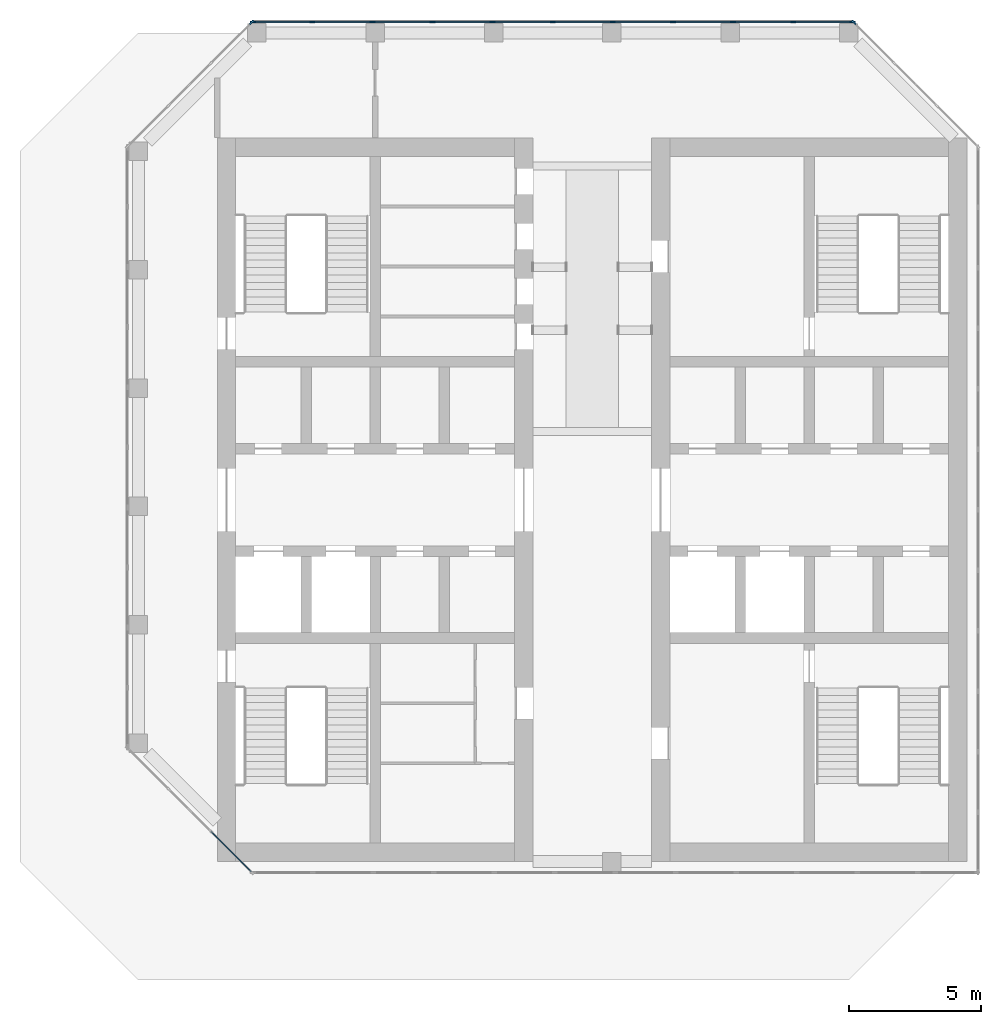
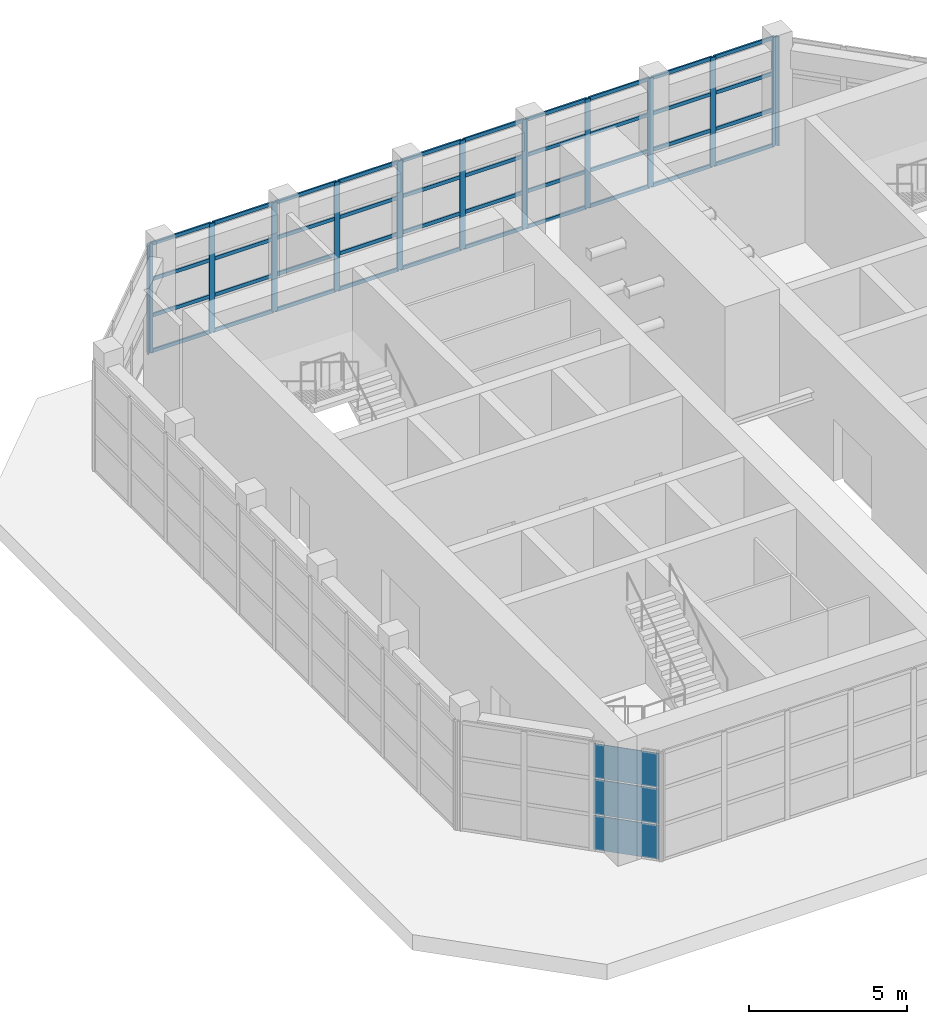
# One storey, part 6 of 13: 53 members, 3 plates, 4 elements without a shape of their own.
"""IFC4 building model written with IfcOpenShell, lengths in metres."""

from ifc_helpers import new_model, si_unit, direction, frame, origin, origin_2d, place, context, subcontext, project, spatial, rectangle, extrude, material, layer, layer_set, material_profile, profile_set, type_object, element, aggregate, save


model = new_model("IFC4")

# Units and contexts
model_context = context("Model", 3, precision=1e-05, world=origin(), true_north=direction((0.0, 1.0)))
body_context = subcontext(model_context, "Body", "Model", "MODEL_VIEW")
ifc_project = project(units=[si_unit("LENGTHUNIT", "METRE"), si_unit("AREAUNIT", "SQUARE_METRE"), si_unit("VOLUMEUNIT", "CUBIC_METRE"), si_unit("PLANEANGLEUNIT", "RADIAN"), si_unit("MASSUNIT", "GRAM", prefix="KILO")], contexts=[model_context])

# Site, building, storey
site_placement = place(None, origin())
site = spatial("IfcSite", under=ifc_project, at=site_placement, CompositionType="ELEMENT")
building_placement = place(site_placement, origin())
building = spatial("IfcBuilding", under=site, at=building_placement, Name="Corbel Stack Research Tower", CompositionType="ELEMENT")
storey_placement = place(building_placement, frame((0.0, 0.0, 311.800048828125)))
storey = spatial("IfcBuildingStorey", under=building, at=storey_placement, Name="L70", CompositionType="ELEMENT", Elevation=311.800048828125)

# Curtain wall, member
ifc_material_1 = material(Name="Aluminium and glass", Category="aluminium")
curtain_wall_type = type_object("IfcCurtainWallType", Name="CW4C damper hall glazing wall, corner", PredefinedType="NOTDEFINED", material=ifc_material_1)
curtain_wall_1_placement = place(storey_placement, origin())
curtain_wall_1 = element("IfcCurtainWall", 1, at=curtain_wall_1_placement, inside=storey, type_object=curtain_wall_type, Name="Damper hall curtain wall L70 3", PredefinedType="NOTDEFINED")
ifc_material_2 = material(Name="Aluminium, anodised", Category="aluminium")
ifc_material_profile_1 = material_profile(ifc_material_2, rectangle(XDim=0.06005859375, YDim=0.199951171875, at=origin_2d()), Name="CW4 mullion 60 x 200")
ifc_profile_set_1 = profile_set([ifc_material_profile_1], Name="Aluminium, anodised")
member_type_1 = type_object("IfcMemberType", Name="CW4 mullion 60 x 200", PredefinedType="MULLION", material=ifc_profile_set_1)
member_1_placement = place(storey_placement, frame((-9.1953125, 22.898681640625, 0.0), z_axis=(0.0, 0.0, 1.0), x_axis=(-0.707106781187, 0.707106781187, 0.0)))
member_1 = element("IfcMember", 2, at=member_1_placement, type_object=member_type_1, Name="CW4C mullion 4", PredefinedType="MULLION", context=body_context, shape_type="SweptSolid", body=[
    extrude(rectangle(XDim=0.06005859375, YDim=0.199951171875, at=origin_2d()), origin(), (0.0, 0.0, 1.0), 4.199951171875),
])
aggregate(curtain_wall_1, [member_1])

# Curtain wall, members
curtain_wall_2_placement = place(storey_placement, origin())
curtain_wall_2 = element("IfcCurtainWall", 3, at=curtain_wall_2_placement, inside=storey, type_object=curtain_wall_type, Name="Damper hall curtain wall L70 4", PredefinedType="NOTDEFINED")
member_2_placement = place(storey_placement, frame((-9.14404296875, 22.919921875, 0.0), z_axis=(0.0, 0.0, 1.0), x_axis=(0.0, 1.0, 0.0)))
member_2 = element("IfcMember", 4, at=member_2_placement, type_object=member_type_1, Name="CW4C mullion 1", PredefinedType="MULLION", context=body_context, shape_type="SweptSolid", body=[
    extrude(rectangle(XDim=0.06005859375, YDim=0.199951171875, at=origin_2d()), origin(), (0.0, 0.0, 1.0), 4.199951171875),
])
member_3_placement = place(storey_placement, frame((-6.88916015625, 22.919921875, 0.0), z_axis=(0.0, 0.0, 1.0), x_axis=(0.0, 1.0, 0.0)))
member_3 = element("IfcMember", 5, at=member_3_placement, type_object=member_type_1, Name="CW4C mullion 2", PredefinedType="MULLION", context=body_context, shape_type="SweptSolid", body=[
    extrude(rectangle(XDim=0.06005859375, YDim=0.199951171875, at=origin_2d()), origin(), (0.0, 0.0, 1.0), 4.199951171875),
])
member_4_placement = place(storey_placement, frame((-4.6044921875, 22.919921875, 0.0), z_axis=(0.0, 0.0, 1.0), x_axis=(0.0, 1.0, 0.0)))
member_4 = element("IfcMember", 6, at=member_4_placement, type_object=member_type_1, Name="CW4C mullion 3", PredefinedType="MULLION", context=body_context, shape_type="SweptSolid", body=[
    extrude(rectangle(XDim=0.06005859375, YDim=0.199951171875, at=origin_2d()), origin(), (0.0, 0.0, 1.0), 4.199951171875),
])
member_5_placement = place(storey_placement, frame((-2.319580078125, 22.919921875, 0.0), z_axis=(0.0, 0.0, 1.0), x_axis=(0.0, 1.0, 0.0)))
member_5 = element("IfcMember", 7, at=member_5_placement, type_object=member_type_1, Name="CW4C mullion 4", PredefinedType="MULLION", context=body_context, shape_type="SweptSolid", body=[
    extrude(rectangle(XDim=0.06005859375, YDim=0.199951171875, at=origin_2d()), origin(), (0.0, 0.0, 1.0), 4.199951171875),
])
member_6_placement = place(storey_placement, frame((-0.034912109375, 22.919921875, 0.0), z_axis=(0.0, 0.0, 1.0), x_axis=(0.0, 1.0, 0.0)))
member_6 = element("IfcMember", 8, at=member_6_placement, type_object=member_type_1, Name="CW4C mullion 5", PredefinedType="MULLION", context=body_context, shape_type="SweptSolid", body=[
    extrude(rectangle(XDim=0.06005859375, YDim=0.199951171875, at=origin_2d()), origin(), (0.0, 0.0, 1.0), 4.199951171875),
])
member_7_placement = place(storey_placement, frame((2.25, 22.919921875, 0.0), z_axis=(0.0, 0.0, 1.0), x_axis=(0.0, 1.0, 0.0)))
member_7 = element("IfcMember", 9, at=member_7_placement, type_object=member_type_1, Name="CW4C mullion 6", PredefinedType="MULLION", context=body_context, shape_type="SweptSolid", body=[
    extrude(rectangle(XDim=0.06005859375, YDim=0.199951171875, at=origin_2d()), origin(), (0.0, 0.0, 1.0), 4.199951171875),
])
member_8_placement = place(storey_placement, frame((4.534912109375, 22.919921875, 0.0), z_axis=(0.0, 0.0, 1.0), x_axis=(0.0, 1.0, 0.0)))
member_8 = element("IfcMember", 10, at=member_8_placement, type_object=member_type_1, Name="CW4C mullion 7", PredefinedType="MULLION", context=body_context, shape_type="SweptSolid", body=[
    extrude(rectangle(XDim=0.06005859375, YDim=0.199951171875, at=origin_2d()), origin(), (0.0, 0.0, 1.0), 4.199951171875),
])
member_9_placement = place(storey_placement, frame((6.819580078125, 22.919921875, 0.0), z_axis=(0.0, 0.0, 1.0), x_axis=(0.0, 1.0, 0.0)))
member_9 = element("IfcMember", 11, at=member_9_placement, type_object=member_type_1, Name="CW4C mullion 8", PredefinedType="MULLION", context=body_context, shape_type="SweptSolid", body=[
    extrude(rectangle(XDim=0.06005859375, YDim=0.199951171875, at=origin_2d()), origin(), (0.0, 0.0, 1.0), 4.199951171875),
])
member_10_placement = place(storey_placement, frame((9.1044921875, 22.919921875, 0.0), z_axis=(0.0, 0.0, 1.0), x_axis=(0.0, 1.0, 0.0)))
member_10 = element("IfcMember", 12, at=member_10_placement, type_object=member_type_1, Name="CW4C mullion 9", PredefinedType="MULLION", context=body_context, shape_type="SweptSolid", body=[
    extrude(rectangle(XDim=0.06005859375, YDim=0.199951171875, at=origin_2d()), origin(), (0.0, 0.0, 1.0), 4.199951171875),
])
member_11_placement = place(storey_placement, frame((11.38916015625, 22.919921875, 0.0), z_axis=(0.0, 0.0, 1.0), x_axis=(0.0, 1.0, 0.0)))
member_11 = element("IfcMember", 13, at=member_11_placement, type_object=member_type_1, Name="CW4C mullion 10", PredefinedType="MULLION", context=body_context, shape_type="SweptSolid", body=[
    extrude(rectangle(XDim=0.06005859375, YDim=0.199951171875, at=origin_2d()), origin(), (0.0, 0.0, 1.0), 4.199951171875),
])
member_12_placement = place(storey_placement, frame((13.64404296875, 22.919921875, 0.0), z_axis=(0.0, 0.0, 1.0), x_axis=(0.0, 1.0, 0.0)))
member_12 = element("IfcMember", 14, at=member_12_placement, type_object=member_type_1, Name="CW4C mullion 11", PredefinedType="MULLION", context=body_context, shape_type="SweptSolid", body=[
    extrude(rectangle(XDim=0.06005859375, YDim=0.199951171875, at=origin_2d()), origin(), (0.0, 0.0, 1.0), 4.199951171875),
])

# Curtain wall, member
curtain_wall_3_placement = place(storey_placement, origin())
curtain_wall_3 = element("IfcCurtainWall", 15, at=curtain_wall_3_placement, inside=storey, type_object=curtain_wall_type, Name="Damper hall curtain wall L70 5", PredefinedType="NOTDEFINED")
member_13_placement = place(storey_placement, frame((13.6953125, 22.898681640625, 0.0), z_axis=(0.0, 0.0, 1.0), x_axis=(0.707106781187, 0.707106781187, 0.0)))
member_13 = element("IfcMember", 16, at=member_13_placement, type_object=member_type_1, Name="CW4C mullion 1", PredefinedType="MULLION", context=body_context, shape_type="SweptSolid", body=[
    extrude(rectangle(XDim=0.06005859375, YDim=0.199951171875, at=origin_2d()), origin(), (0.0, 0.0, 1.0), 4.199951171875),
])
aggregate(curtain_wall_3, [member_13])

# Member
ifc_material_3 = material(Name="Aluminium, anodised", Category="aluminium")
ifc_material_profile_2 = material_profile(ifc_material_3, rectangle(XDim=0.06005859375, YDim=0.139892578125, at=origin_2d()), Name="CW4 transom 60 x 140")
ifc_profile_set_2 = profile_set([ifc_material_profile_2], Name="Aluminium, anodised")
member_type_2 = type_object("IfcMemberType", Name="CW4 transom 60 x 140", PredefinedType="USERDEFINED", material=ifc_profile_set_2)
member_14_placement = place(storey_placement, frame((-9.114013671875, 22.919921875, 0.030029296875), z_axis=(1.0, 0.0, 0.0), x_axis=(0.0, 1.0, 0.0)))
member_14 = element("IfcMember", 17, at=member_14_placement, type_object=member_type_2, Name="CW4C transom 1.1", ObjectType="TRANSOM", PredefinedType="USERDEFINED", context=body_context, shape_type="SweptSolid", body=[
    extrude(rectangle(XDim=0.06005859375, YDim=0.139892578125, at=origin_2d()), origin(), (0.0, 0.0, 1.0), 2.19482421875),
])

member_15_placement = place(storey_placement, frame((-9.114013671875, 22.919921875, 1.39990234375), z_axis=(1.0, 0.0, 0.0), x_axis=(0.0, 1.0, 0.0)))
member_15 = element("IfcMember", 18, at=member_15_placement, type_object=member_type_2, Name="CW4C transom 1.2", ObjectType="TRANSOM", PredefinedType="USERDEFINED", context=body_context, shape_type="SweptSolid", body=[
    extrude(rectangle(XDim=0.06005859375, YDim=0.139892578125, at=origin_2d()), origin(), (0.0, 0.0, 1.0), 2.19482421875),
])

member_16_placement = place(storey_placement, frame((-9.114013671875, 22.919921875, 2.800048828125), z_axis=(1.0, 0.0, 0.0), x_axis=(0.0, 1.0, 0.0)))
member_16 = element("IfcMember", 19, at=member_16_placement, type_object=member_type_2, Name="CW4C transom 1.3", ObjectType="TRANSOM", PredefinedType="USERDEFINED", context=body_context, shape_type="SweptSolid", body=[
    extrude(rectangle(XDim=0.06005859375, YDim=0.139892578125, at=origin_2d()), origin(), (0.0, 0.0, 1.0), 2.19482421875),
])

member_17_placement = place(storey_placement, frame((-9.114013671875, 22.919921875, 4.169921875), z_axis=(1.0, 0.0, 0.0), x_axis=(0.0, 1.0, 0.0)))
member_17 = element("IfcMember", 20, at=member_17_placement, type_object=member_type_2, Name="CW4C transom 1.4", ObjectType="TRANSOM", PredefinedType="USERDEFINED", context=body_context, shape_type="SweptSolid", body=[
    extrude(rectangle(XDim=0.06005859375, YDim=0.139892578125, at=origin_2d()), origin(), (0.0, 0.0, 1.0), 2.19482421875),
])

member_18_placement = place(storey_placement, frame((-6.859130859375, 22.919921875, 0.030029296875), z_axis=(1.0, 0.0, 0.0), x_axis=(0.0, 1.0, 0.0)))
member_18 = element("IfcMember", 21, at=member_18_placement, type_object=member_type_2, Name="CW4C transom 2.1", ObjectType="TRANSOM", PredefinedType="USERDEFINED", context=body_context, shape_type="SweptSolid", body=[
    extrude(rectangle(XDim=0.06005859375, YDim=0.139892578125, at=origin_2d()), origin(), (0.0, 0.0, 1.0), 2.224609375),
])

member_19_placement = place(storey_placement, frame((-6.859130859375, 22.919921875, 1.39990234375), z_axis=(1.0, 0.0, 0.0), x_axis=(0.0, 1.0, 0.0)))
member_19 = element("IfcMember", 22, at=member_19_placement, type_object=member_type_2, Name="CW4C transom 2.2", ObjectType="TRANSOM", PredefinedType="USERDEFINED", context=body_context, shape_type="SweptSolid", body=[
    extrude(rectangle(XDim=0.06005859375, YDim=0.139892578125, at=origin_2d()), origin(), (0.0, 0.0, 1.0), 2.224609375),
])

member_20_placement = place(storey_placement, frame((-6.859130859375, 22.919921875, 2.800048828125), z_axis=(1.0, 0.0, 0.0), x_axis=(0.0, 1.0, 0.0)))
member_20 = element("IfcMember", 23, at=member_20_placement, type_object=member_type_2, Name="CW4C transom 2.3", ObjectType="TRANSOM", PredefinedType="USERDEFINED", context=body_context, shape_type="SweptSolid", body=[
    extrude(rectangle(XDim=0.06005859375, YDim=0.139892578125, at=origin_2d()), origin(), (0.0, 0.0, 1.0), 2.224609375),
])

member_21_placement = place(storey_placement, frame((-6.859130859375, 22.919921875, 4.169921875), z_axis=(1.0, 0.0, 0.0), x_axis=(0.0, 1.0, 0.0)))
member_21 = element("IfcMember", 24, at=member_21_placement, type_object=member_type_2, Name="CW4C transom 2.4", ObjectType="TRANSOM", PredefinedType="USERDEFINED", context=body_context, shape_type="SweptSolid", body=[
    extrude(rectangle(XDim=0.06005859375, YDim=0.139892578125, at=origin_2d()), origin(), (0.0, 0.0, 1.0), 2.224609375),
])

member_22_placement = place(storey_placement, frame((-4.574462890625, 22.919921875, 0.030029296875), z_axis=(1.0, 0.0, 0.0), x_axis=(0.0, 1.0, 0.0)))
member_22 = element("IfcMember", 25, at=member_22_placement, type_object=member_type_2, Name="CW4C transom 3.1", ObjectType="TRANSOM", PredefinedType="USERDEFINED", context=body_context, shape_type="SweptSolid", body=[
    extrude(rectangle(XDim=0.06005859375, YDim=0.139892578125, at=origin_2d()), origin(), (0.0, 0.0, 1.0), 2.224853515625),
])

member_23_placement = place(storey_placement, frame((-4.574462890625, 22.919921875, 1.39990234375), z_axis=(1.0, 0.0, 0.0), x_axis=(0.0, 1.0, 0.0)))
member_23 = element("IfcMember", 26, at=member_23_placement, type_object=member_type_2, Name="CW4C transom 3.2", ObjectType="TRANSOM", PredefinedType="USERDEFINED", context=body_context, shape_type="SweptSolid", body=[
    extrude(rectangle(XDim=0.06005859375, YDim=0.139892578125, at=origin_2d()), origin(), (0.0, 0.0, 1.0), 2.224853515625),
])

member_24_placement = place(storey_placement, frame((-4.574462890625, 22.919921875, 2.800048828125), z_axis=(1.0, 0.0, 0.0), x_axis=(0.0, 1.0, 0.0)))
member_24 = element("IfcMember", 27, at=member_24_placement, type_object=member_type_2, Name="CW4C transom 3.3", ObjectType="TRANSOM", PredefinedType="USERDEFINED", context=body_context, shape_type="SweptSolid", body=[
    extrude(rectangle(XDim=0.06005859375, YDim=0.139892578125, at=origin_2d()), origin(), (0.0, 0.0, 1.0), 2.224853515625),
])

member_25_placement = place(storey_placement, frame((-4.574462890625, 22.919921875, 4.169921875), z_axis=(1.0, 0.0, 0.0), x_axis=(0.0, 1.0, 0.0)))
member_25 = element("IfcMember", 28, at=member_25_placement, type_object=member_type_2, Name="CW4C transom 3.4", ObjectType="TRANSOM", PredefinedType="USERDEFINED", context=body_context, shape_type="SweptSolid", body=[
    extrude(rectangle(XDim=0.06005859375, YDim=0.139892578125, at=origin_2d()), origin(), (0.0, 0.0, 1.0), 2.224853515625),
])

member_26_placement = place(storey_placement, frame((-2.28955078125, 22.919921875, 0.030029296875), z_axis=(1.0, 0.0, 0.0), x_axis=(0.0, 1.0, 0.0)))
member_26 = element("IfcMember", 29, at=member_26_placement, type_object=member_type_2, Name="CW4C transom 4.1", ObjectType="TRANSOM", PredefinedType="USERDEFINED", context=body_context, shape_type="SweptSolid", body=[
    extrude(rectangle(XDim=0.06005859375, YDim=0.139892578125, at=origin_2d()), origin(), (0.0, 0.0, 1.0), 2.224853515625),
])

member_27_placement = place(storey_placement, frame((-2.28955078125, 22.919921875, 1.39990234375), z_axis=(1.0, 0.0, 0.0), x_axis=(0.0, 1.0, 0.0)))
member_27 = element("IfcMember", 30, at=member_27_placement, type_object=member_type_2, Name="CW4C transom 4.2", ObjectType="TRANSOM", PredefinedType="USERDEFINED", context=body_context, shape_type="SweptSolid", body=[
    extrude(rectangle(XDim=0.06005859375, YDim=0.139892578125, at=origin_2d()), origin(), (0.0, 0.0, 1.0), 2.224853515625),
])

member_28_placement = place(storey_placement, frame((-2.28955078125, 22.919921875, 2.800048828125), z_axis=(1.0, 0.0, 0.0), x_axis=(0.0, 1.0, 0.0)))
member_28 = element("IfcMember", 31, at=member_28_placement, type_object=member_type_2, Name="CW4C transom 4.3", ObjectType="TRANSOM", PredefinedType="USERDEFINED", context=body_context, shape_type="SweptSolid", body=[
    extrude(rectangle(XDim=0.06005859375, YDim=0.139892578125, at=origin_2d()), origin(), (0.0, 0.0, 1.0), 2.224853515625),
])

member_29_placement = place(storey_placement, frame((-2.28955078125, 22.919921875, 4.169921875), z_axis=(1.0, 0.0, 0.0), x_axis=(0.0, 1.0, 0.0)))
member_29 = element("IfcMember", 32, at=member_29_placement, type_object=member_type_2, Name="CW4C transom 4.4", ObjectType="TRANSOM", PredefinedType="USERDEFINED", context=body_context, shape_type="SweptSolid", body=[
    extrude(rectangle(XDim=0.06005859375, YDim=0.139892578125, at=origin_2d()), origin(), (0.0, 0.0, 1.0), 2.224853515625),
])

member_30_placement = place(storey_placement, frame((-0.0048828125, 22.919921875, 0.030029296875), z_axis=(1.0, 0.0, 0.0), x_axis=(0.0, 1.0, 0.0)))
member_30 = element("IfcMember", 33, at=member_30_placement, type_object=member_type_2, Name="CW4C transom 5.1", ObjectType="TRANSOM", PredefinedType="USERDEFINED", context=body_context, shape_type="SweptSolid", body=[
    extrude(rectangle(XDim=0.06005859375, YDim=0.139892578125, at=origin_2d()), origin(), (0.0, 0.0, 1.0), 2.224853515625),
])

member_31_placement = place(storey_placement, frame((-0.0048828125, 22.919921875, 1.39990234375), z_axis=(1.0, 0.0, 0.0), x_axis=(0.0, 1.0, 0.0)))
member_31 = element("IfcMember", 34, at=member_31_placement, type_object=member_type_2, Name="CW4C transom 5.2", ObjectType="TRANSOM", PredefinedType="USERDEFINED", context=body_context, shape_type="SweptSolid", body=[
    extrude(rectangle(XDim=0.06005859375, YDim=0.139892578125, at=origin_2d()), origin(), (0.0, 0.0, 1.0), 2.224853515625),
])

member_32_placement = place(storey_placement, frame((-0.0048828125, 22.919921875, 2.800048828125), z_axis=(1.0, 0.0, 0.0), x_axis=(0.0, 1.0, 0.0)))
member_32 = element("IfcMember", 35, at=member_32_placement, type_object=member_type_2, Name="CW4C transom 5.3", ObjectType="TRANSOM", PredefinedType="USERDEFINED", context=body_context, shape_type="SweptSolid", body=[
    extrude(rectangle(XDim=0.06005859375, YDim=0.139892578125, at=origin_2d()), origin(), (0.0, 0.0, 1.0), 2.224853515625),
])

member_33_placement = place(storey_placement, frame((-0.0048828125, 22.919921875, 4.169921875), z_axis=(1.0, 0.0, 0.0), x_axis=(0.0, 1.0, 0.0)))
member_33 = element("IfcMember", 36, at=member_33_placement, type_object=member_type_2, Name="CW4C transom 5.4", ObjectType="TRANSOM", PredefinedType="USERDEFINED", context=body_context, shape_type="SweptSolid", body=[
    extrude(rectangle(XDim=0.06005859375, YDim=0.139892578125, at=origin_2d()), origin(), (0.0, 0.0, 1.0), 2.224853515625),
])

member_34_placement = place(storey_placement, frame((2.280029296875, 22.919921875, 0.030029296875), z_axis=(1.0, 0.0, 0.0), x_axis=(0.0, 1.0, 0.0)))
member_34 = element("IfcMember", 37, at=member_34_placement, type_object=member_type_2, Name="CW4C transom 6.1", ObjectType="TRANSOM", PredefinedType="USERDEFINED", context=body_context, shape_type="SweptSolid", body=[
    extrude(rectangle(XDim=0.06005859375, YDim=0.139892578125, at=origin_2d()), origin(), (0.0, 0.0, 1.0), 2.224853515625),
])

member_35_placement = place(storey_placement, frame((2.280029296875, 22.919921875, 1.39990234375), z_axis=(1.0, 0.0, 0.0), x_axis=(0.0, 1.0, 0.0)))
member_35 = element("IfcMember", 38, at=member_35_placement, type_object=member_type_2, Name="CW4C transom 6.2", ObjectType="TRANSOM", PredefinedType="USERDEFINED", context=body_context, shape_type="SweptSolid", body=[
    extrude(rectangle(XDim=0.06005859375, YDim=0.139892578125, at=origin_2d()), origin(), (0.0, 0.0, 1.0), 2.224853515625),
])

member_36_placement = place(storey_placement, frame((2.280029296875, 22.919921875, 2.800048828125), z_axis=(1.0, 0.0, 0.0), x_axis=(0.0, 1.0, 0.0)))
member_36 = element("IfcMember", 39, at=member_36_placement, type_object=member_type_2, Name="CW4C transom 6.3", ObjectType="TRANSOM", PredefinedType="USERDEFINED", context=body_context, shape_type="SweptSolid", body=[
    extrude(rectangle(XDim=0.06005859375, YDim=0.139892578125, at=origin_2d()), origin(), (0.0, 0.0, 1.0), 2.224853515625),
])

member_37_placement = place(storey_placement, frame((2.280029296875, 22.919921875, 4.169921875), z_axis=(1.0, 0.0, 0.0), x_axis=(0.0, 1.0, 0.0)))
member_37 = element("IfcMember", 40, at=member_37_placement, type_object=member_type_2, Name="CW4C transom 6.4", ObjectType="TRANSOM", PredefinedType="USERDEFINED", context=body_context, shape_type="SweptSolid", body=[
    extrude(rectangle(XDim=0.06005859375, YDim=0.139892578125, at=origin_2d()), origin(), (0.0, 0.0, 1.0), 2.224853515625),
])

member_38_placement = place(storey_placement, frame((4.564697265625, 22.919921875, 0.030029296875), z_axis=(1.0, 0.0, 0.0), x_axis=(0.0, 1.0, 0.0)))
member_38 = element("IfcMember", 41, at=member_38_placement, type_object=member_type_2, Name="CW4C transom 7.1", ObjectType="TRANSOM", PredefinedType="USERDEFINED", context=body_context, shape_type="SweptSolid", body=[
    extrude(rectangle(XDim=0.06005859375, YDim=0.139892578125, at=origin_2d()), origin(), (0.0, 0.0, 1.0), 2.224853515625),
])

member_39_placement = place(storey_placement, frame((4.564697265625, 22.919921875, 1.39990234375), z_axis=(1.0, 0.0, 0.0), x_axis=(0.0, 1.0, 0.0)))
member_39 = element("IfcMember", 42, at=member_39_placement, type_object=member_type_2, Name="CW4C transom 7.2", ObjectType="TRANSOM", PredefinedType="USERDEFINED", context=body_context, shape_type="SweptSolid", body=[
    extrude(rectangle(XDim=0.06005859375, YDim=0.139892578125, at=origin_2d()), origin(), (0.0, 0.0, 1.0), 2.224853515625),
])

member_40_placement = place(storey_placement, frame((4.564697265625, 22.919921875, 2.800048828125), z_axis=(1.0, 0.0, 0.0), x_axis=(0.0, 1.0, 0.0)))
member_40 = element("IfcMember", 43, at=member_40_placement, type_object=member_type_2, Name="CW4C transom 7.3", ObjectType="TRANSOM", PredefinedType="USERDEFINED", context=body_context, shape_type="SweptSolid", body=[
    extrude(rectangle(XDim=0.06005859375, YDim=0.139892578125, at=origin_2d()), origin(), (0.0, 0.0, 1.0), 2.224853515625),
])

member_41_placement = place(storey_placement, frame((4.564697265625, 22.919921875, 4.169921875), z_axis=(1.0, 0.0, 0.0), x_axis=(0.0, 1.0, 0.0)))
member_41 = element("IfcMember", 44, at=member_41_placement, type_object=member_type_2, Name="CW4C transom 7.4", ObjectType="TRANSOM", PredefinedType="USERDEFINED", context=body_context, shape_type="SweptSolid", body=[
    extrude(rectangle(XDim=0.06005859375, YDim=0.139892578125, at=origin_2d()), origin(), (0.0, 0.0, 1.0), 2.224853515625),
])

member_42_placement = place(storey_placement, frame((6.849609375, 22.919921875, 0.030029296875), z_axis=(1.0, 0.0, 0.0), x_axis=(0.0, 1.0, 0.0)))
member_42 = element("IfcMember", 45, at=member_42_placement, type_object=member_type_2, Name="CW4C transom 8.1", ObjectType="TRANSOM", PredefinedType="USERDEFINED", context=body_context, shape_type="SweptSolid", body=[
    extrude(rectangle(XDim=0.06005859375, YDim=0.139892578125, at=origin_2d()), origin(), (0.0, 0.0, 1.0), 2.224853515625),
])

member_43_placement = place(storey_placement, frame((6.849609375, 22.919921875, 1.39990234375), z_axis=(1.0, 0.0, 0.0), x_axis=(0.0, 1.0, 0.0)))
member_43 = element("IfcMember", 46, at=member_43_placement, type_object=member_type_2, Name="CW4C transom 8.2", ObjectType="TRANSOM", PredefinedType="USERDEFINED", context=body_context, shape_type="SweptSolid", body=[
    extrude(rectangle(XDim=0.06005859375, YDim=0.139892578125, at=origin_2d()), origin(), (0.0, 0.0, 1.0), 2.224853515625),
])

member_44_placement = place(storey_placement, frame((6.849609375, 22.919921875, 2.800048828125), z_axis=(1.0, 0.0, 0.0), x_axis=(0.0, 1.0, 0.0)))
member_44 = element("IfcMember", 47, at=member_44_placement, type_object=member_type_2, Name="CW4C transom 8.3", ObjectType="TRANSOM", PredefinedType="USERDEFINED", context=body_context, shape_type="SweptSolid", body=[
    extrude(rectangle(XDim=0.06005859375, YDim=0.139892578125, at=origin_2d()), origin(), (0.0, 0.0, 1.0), 2.224853515625),
])

member_45_placement = place(storey_placement, frame((6.849609375, 22.919921875, 4.169921875), z_axis=(1.0, 0.0, 0.0), x_axis=(0.0, 1.0, 0.0)))
member_45 = element("IfcMember", 48, at=member_45_placement, type_object=member_type_2, Name="CW4C transom 8.4", ObjectType="TRANSOM", PredefinedType="USERDEFINED", context=body_context, shape_type="SweptSolid", body=[
    extrude(rectangle(XDim=0.06005859375, YDim=0.139892578125, at=origin_2d()), origin(), (0.0, 0.0, 1.0), 2.224853515625),
])

member_46_placement = place(storey_placement, frame((9.134521484375, 22.919921875, 0.030029296875), z_axis=(1.0, 0.0, 0.0), x_axis=(0.0, 1.0, 0.0)))
member_46 = element("IfcMember", 49, at=member_46_placement, type_object=member_type_2, Name="CW4C transom 9.1", ObjectType="TRANSOM", PredefinedType="USERDEFINED", context=body_context, shape_type="SweptSolid", body=[
    extrude(rectangle(XDim=0.06005859375, YDim=0.139892578125, at=origin_2d()), origin(), (0.0, 0.0, 1.0), 2.224609375),
])

member_47_placement = place(storey_placement, frame((9.134521484375, 22.919921875, 1.39990234375), z_axis=(1.0, 0.0, 0.0), x_axis=(0.0, 1.0, 0.0)))
member_47 = element("IfcMember", 50, at=member_47_placement, type_object=member_type_2, Name="CW4C transom 9.2", ObjectType="TRANSOM", PredefinedType="USERDEFINED", context=body_context, shape_type="SweptSolid", body=[
    extrude(rectangle(XDim=0.06005859375, YDim=0.139892578125, at=origin_2d()), origin(), (0.0, 0.0, 1.0), 2.224609375),
])

member_48_placement = place(storey_placement, frame((9.134521484375, 22.919921875, 2.800048828125), z_axis=(1.0, 0.0, 0.0), x_axis=(0.0, 1.0, 0.0)))
member_48 = element("IfcMember", 51, at=member_48_placement, type_object=member_type_2, Name="CW4C transom 9.3", ObjectType="TRANSOM", PredefinedType="USERDEFINED", context=body_context, shape_type="SweptSolid", body=[
    extrude(rectangle(XDim=0.06005859375, YDim=0.139892578125, at=origin_2d()), origin(), (0.0, 0.0, 1.0), 2.224609375),
])

member_49_placement = place(storey_placement, frame((9.134521484375, 22.919921875, 4.169921875), z_axis=(1.0, 0.0, 0.0), x_axis=(0.0, 1.0, 0.0)))
member_49 = element("IfcMember", 52, at=member_49_placement, type_object=member_type_2, Name="CW4C transom 9.4", ObjectType="TRANSOM", PredefinedType="USERDEFINED", context=body_context, shape_type="SweptSolid", body=[
    extrude(rectangle(XDim=0.06005859375, YDim=0.139892578125, at=origin_2d()), origin(), (0.0, 0.0, 1.0), 2.224609375),
])

member_50_placement = place(storey_placement, frame((11.419189453125, 22.919921875, 0.030029296875), z_axis=(1.0, 0.0, 0.0), x_axis=(0.0, 1.0, 0.0)))
member_50 = element("IfcMember", 53, at=member_50_placement, type_object=member_type_2, Name="CW4C transom 10.1", ObjectType="TRANSOM", PredefinedType="USERDEFINED", context=body_context, shape_type="SweptSolid", body=[
    extrude(rectangle(XDim=0.06005859375, YDim=0.139892578125, at=origin_2d()), origin(), (0.0, 0.0, 1.0), 2.19482421875),
])

member_51_placement = place(storey_placement, frame((11.419189453125, 22.919921875, 1.39990234375), z_axis=(1.0, 0.0, 0.0), x_axis=(0.0, 1.0, 0.0)))
member_51 = element("IfcMember", 54, at=member_51_placement, type_object=member_type_2, Name="CW4C transom 10.2", ObjectType="TRANSOM", PredefinedType="USERDEFINED", context=body_context, shape_type="SweptSolid", body=[
    extrude(rectangle(XDim=0.06005859375, YDim=0.139892578125, at=origin_2d()), origin(), (0.0, 0.0, 1.0), 2.19482421875),
])

member_52_placement = place(storey_placement, frame((11.419189453125, 22.919921875, 2.800048828125), z_axis=(1.0, 0.0, 0.0), x_axis=(0.0, 1.0, 0.0)))
member_52 = element("IfcMember", 55, at=member_52_placement, type_object=member_type_2, Name="CW4C transom 10.3", ObjectType="TRANSOM", PredefinedType="USERDEFINED", context=body_context, shape_type="SweptSolid", body=[
    extrude(rectangle(XDim=0.06005859375, YDim=0.139892578125, at=origin_2d()), origin(), (0.0, 0.0, 1.0), 2.19482421875),
])

member_53_placement = place(storey_placement, frame((11.419189453125, 22.919921875, 4.169921875), z_axis=(1.0, 0.0, 0.0), x_axis=(0.0, 1.0, 0.0)))
member_53 = element("IfcMember", 56, at=member_53_placement, type_object=member_type_2, Name="CW4C transom 10.4", ObjectType="TRANSOM", PredefinedType="USERDEFINED", context=body_context, shape_type="SweptSolid", body=[
    extrude(rectangle(XDim=0.06005859375, YDim=0.139892578125, at=origin_2d()), origin(), (0.0, 0.0, 1.0), 2.19482421875),
])

aggregate(curtain_wall_2, [member_2, member_3, member_4, member_5, member_6, member_7, member_8, member_9, member_10, member_11, member_12, member_14, member_15, member_16, member_17, member_18, member_19, member_20, member_21, member_22, member_23, member_24, member_25, member_26, member_27, member_28, member_29, member_30, member_31, member_32, member_33, member_34, member_35, member_36, member_37, member_38, member_39, member_40, member_41, member_42, member_43, member_44, member_45, member_46, member_47, member_48, member_49, member_50, member_51, member_52, member_53])

# Curtain wall, plates
curtain_wall_4_placement = place(storey_placement, origin())
curtain_wall_4 = element("IfcCurtainWall", 57, at=curtain_wall_4_placement, inside=storey, type_object=curtain_wall_type, Name="Damper hall curtain wall L70 1", PredefinedType="NOTDEFINED")
ifc_material_4 = material(Name="Glass, laminated amber tint", Category="glass")
ifc_layer = layer(ifc_material_4, 0.031982421875)
ifc_layer_set = layer_set([ifc_layer], Name="Glass, laminated amber tint")
plate_type = type_object("IfcPlateType", Name="CW4 amber laminated glass panel 32", PredefinedType="CURTAIN_PANEL", material=ifc_layer_set)
plate_1_placement = place(storey_placement, frame((-9.9755859375, -8.618408203125, 0.059814453125), z_axis=(0.0, 0.0, 1.0), x_axis=(-0.707106781187, 0.707106781187, 0.0)))
plate_1 = element("IfcPlate", 58, at=plate_1_placement, type_object=plate_type, Name="CW4C panel 1.1", PredefinedType="CURTAIN_PANEL", context=body_context, shape_type="SweptSolid", body=[
    extrude(rectangle(XDim=2.147216796875, YDim=0.031982421875, at=origin_2d()), origin(), (0.0, 0.0, 1.0), 1.31005859375),
])
plate_2_placement = place(storey_placement, frame((-9.9755859375, -8.618408203125, 1.4296875), z_axis=(0.0, 0.0, 1.0), x_axis=(-0.707106781187, 0.707106781187, 0.0)))
plate_2 = element("IfcPlate", 59, at=plate_2_placement, type_object=plate_type, Name="CW4C panel 1.2", PredefinedType="CURTAIN_PANEL", context=body_context, shape_type="SweptSolid", body=[
    extrude(rectangle(XDim=2.147216796875, YDim=0.031982421875, at=origin_2d()), origin(), (0.0, 0.0, 1.0), 1.340087890625),
])
plate_3_placement = place(storey_placement, frame((-9.9755859375, -8.618408203125, 2.829833984375), z_axis=(0.0, 0.0, 1.0), x_axis=(-0.707106781187, 0.707106781187, 0.0)))
plate_3 = element("IfcPlate", 60, at=plate_3_placement, type_object=plate_type, Name="CW4C panel 1.3", PredefinedType="CURTAIN_PANEL", context=body_context, shape_type="SweptSolid", body=[
    extrude(rectangle(XDim=2.147216796875, YDim=0.031982421875, at=origin_2d()), origin(), (0.0, 0.0, 1.0), 1.31005859375),
])
aggregate(curtain_wall_4, [plate_1, plate_2, plate_3])

save(model, "model.ifc")
